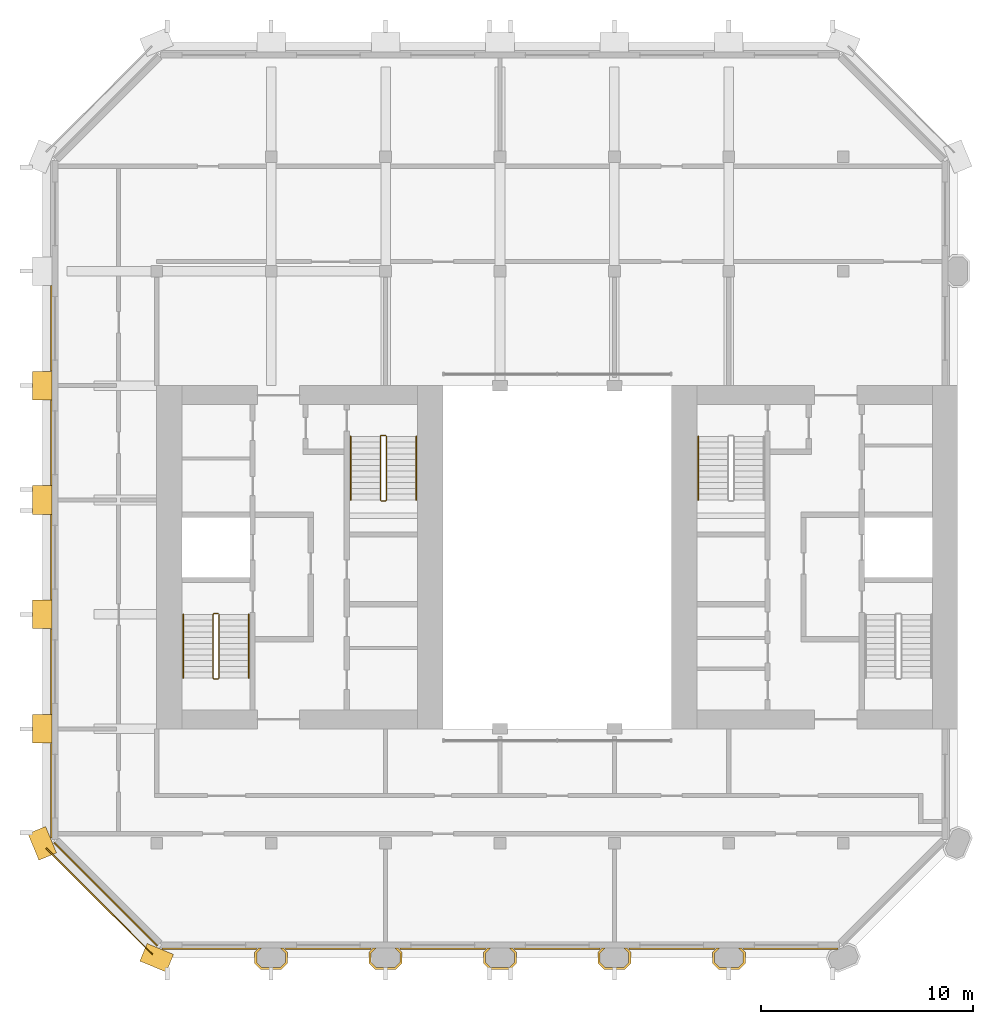
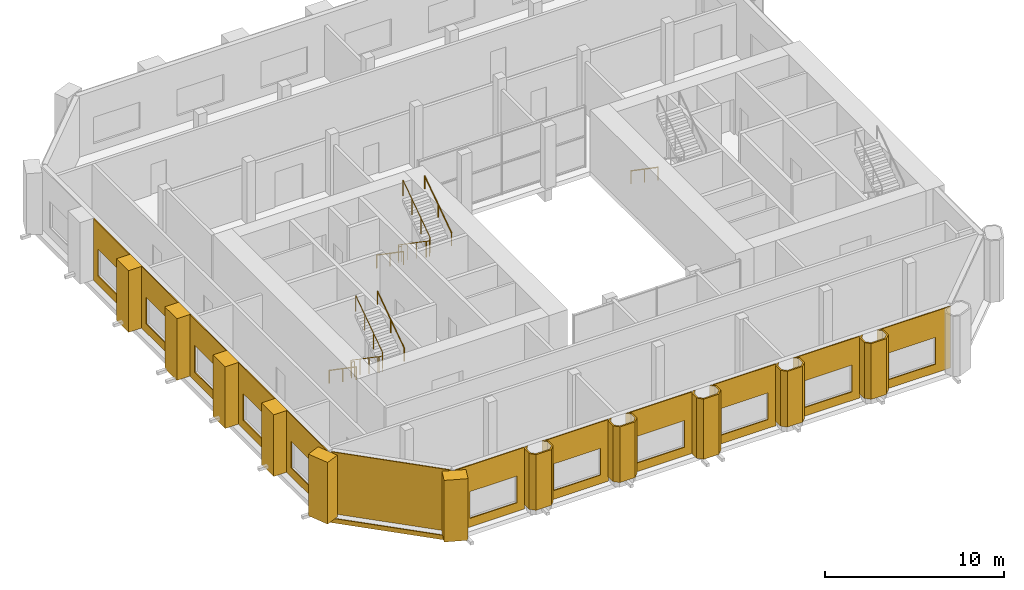
# One storey, part 10 of 11: 24 coverings, 7 railings.
"""IFC4 building model written with IfcOpenShell, lengths in metres."""

from ifc_helpers import new_model, si_unit, direction, frame, frame_2d, origin, origin_2d, place, context, subcontext, project, spatial, polyline, rectangle, circle, outline, extrude, material, layer, layer_set, type_object, element, save


model = new_model("IFC4")

# Units and contexts
model_context = context("Model", 3, precision=1e-05, world=origin(), true_north=direction((0.0, 1.0)))
body_context = subcontext(model_context, "Body", "Model", "MODEL_VIEW")
ifc_project = project(units=[si_unit("LENGTHUNIT", "METRE"), si_unit("AREAUNIT", "SQUARE_METRE"), si_unit("VOLUMEUNIT", "CUBIC_METRE"), si_unit("PLANEANGLEUNIT", "RADIAN"), si_unit("MASSUNIT", "GRAM", prefix="KILO")], contexts=[model_context])

# Site, building, storey
site_placement = place(None, origin())
site = spatial("IfcSite", under=ifc_project, at=site_placement, CompositionType="ELEMENT")
building_placement = place(site_placement, origin())
building = spatial("IfcBuilding", under=site, at=building_placement, Name="Tabaq Tower and Sports Hall", CompositionType="ELEMENT")
storey_placement = place(building_placement, frame((0.0, 0.0, 312.699951171875)))
storey = spatial("IfcBuildingStorey", under=building, at=storey_placement, Name="L78", CompositionType="ELEMENT", Elevation=312.699951171875)

# Coverings
ifc_material_1 = material(Name="Precast concrete C60/75", Category="concrete")
ifc_layer_1 = layer(ifc_material_1, 0.10009765625)
ifc_layer_set_1 = layer_set([ifc_layer_1], Name="Column cladding 100")
covering_type_1 = type_object("IfcCoveringType", Name="Column cladding 100", PredefinedType="CLADDING", material=ifc_layer_set_1)
covering_1_placement = place(storey_placement, frame((0.0, 0.0, 0.400146484375)))
element("IfcCovering", 1, at=covering_1_placement, inside=storey, type_object=covering_type_1, Name="Column cladding L78 PC-3B-CR", PredefinedType="CLADDING", context=body_context, shape_type="SweptSolid", body=[
    extrude(outline(polyline([(10.025390625, 5.666259765625), (10.208740234375, 5.849609375), (10.349365234375, 5.849609375), (10.124755859375, 5.625244140625), (10.124755859375, 5.1748046875), (10.349853515625, 4.94970703125), (11.250244140625, 4.94970703125), (11.475341796875, 5.1748046875), (11.475341796875, 5.625244140625), (11.250732421875, 5.849609375), (11.391357421875, 5.849609375), (11.57470703125, 5.666259765625), (11.57470703125, 5.1337890625), (11.291259765625, 4.850341796875), (10.30859375, 4.850341796875), (10.025390625, 5.1337890625), (10.025390625, 5.666259765625)])), origin(), (0.0, 0.0, 1.0), 3.7998046875),
])
covering_2_placement = place(storey_placement, frame((0.0, 0.0, 0.400146484375)))
element("IfcCovering", 2, at=covering_2_placement, inside=storey, type_object=covering_type_1, Name="Column cladding L78 PC-4B-CR", PredefinedType="CLADDING", context=body_context, shape_type="SweptSolid", body=[
    extrude(outline(polyline([(15.42529296875, 5.666259765625), (15.608642578125, 5.849609375), (15.749267578125, 5.849609375), (15.524658203125, 5.625244140625), (15.524658203125, 5.1748046875), (15.749755859375, 4.94970703125), (16.650146484375, 4.94970703125), (16.875244140625, 5.1748046875), (16.875244140625, 5.625244140625), (16.650634765625, 5.849609375), (16.791259765625, 5.849609375), (16.974609375, 5.666259765625), (16.974609375, 5.1337890625), (16.69140625, 4.850341796875), (15.708740234375, 4.850341796875), (15.42529296875, 5.1337890625), (15.42529296875, 5.666259765625)])), origin(), (0.0, 0.0, 1.0), 3.7998046875),
])
covering_3_placement = place(storey_placement, frame((0.0, 0.0, 0.10009765625)))
element("IfcCovering", 3, at=covering_3_placement, inside=storey, type_object=covering_type_1, Name="Column cladding L78 PC-5B-CR", PredefinedType="CLADDING", context=body_context, shape_type="SweptSolid", body=[
    extrude(outline(polyline([(20.8251953125, 5.666259765625), (21.0087890625, 5.849609375), (21.149169921875, 5.849609375), (20.9248046875, 5.625244140625), (20.9248046875, 5.1748046875), (21.14990234375, 4.94970703125), (22.050048828125, 4.94970703125), (22.275390625, 5.1748046875), (22.275390625, 5.625244140625), (22.05078125, 5.849609375), (22.19140625, 5.849609375), (22.374755859375, 5.666259765625), (22.374755859375, 5.1337890625), (22.09130859375, 4.850341796875), (21.108642578125, 4.850341796875), (20.8251953125, 5.1337890625), (20.8251953125, 5.666259765625)])), origin(), (0.0, 0.0, 1.0), 4.099853515625),
])
covering_4_placement = place(storey_placement, frame((0.0, 0.0, 0.400146484375)))
element("IfcCovering", 4, at=covering_4_placement, inside=storey, type_object=covering_type_1, Name="Column cladding L78 PC-6B-CR", PredefinedType="CLADDING", context=body_context, shape_type="SweptSolid", body=[
    extrude(outline(polyline([(26.225341796875, 5.666259765625), (26.40869140625, 5.849609375), (26.54931640625, 5.849609375), (26.32470703125, 5.625244140625), (26.32470703125, 5.1748046875), (26.5498046875, 4.94970703125), (27.4501953125, 4.94970703125), (27.67529296875, 5.1748046875), (27.67529296875, 5.625244140625), (27.45068359375, 5.849609375), (27.59130859375, 5.849609375), (27.774658203125, 5.666259765625), (27.774658203125, 5.1337890625), (27.4912109375, 4.850341796875), (26.5087890625, 4.850341796875), (26.225341796875, 5.1337890625), (26.225341796875, 5.666259765625)])), origin(), (0.0, 0.0, 1.0), 3.7998046875),
])
covering_5_placement = place(storey_placement, frame((0.0, 0.0, 0.400146484375)))
element("IfcCovering", 5, at=covering_5_placement, inside=storey, type_object=covering_type_1, Name="Column cladding L78 PC-7B-CR", PredefinedType="CLADDING", context=body_context, shape_type="SweptSolid", body=[
    extrude(outline(polyline([(31.625244140625, 5.666259765625), (31.80859375, 5.849609375), (31.94921875, 5.849609375), (31.724609375, 5.625244140625), (31.724609375, 5.1748046875), (31.949951171875, 4.94970703125), (32.85009765625, 4.94970703125), (33.0751953125, 5.1748046875), (33.0751953125, 5.625244140625), (32.850830078125, 5.849609375), (32.9912109375, 5.849609375), (33.1748046875, 5.666259765625), (33.1748046875, 5.1337890625), (32.891357421875, 4.850341796875), (31.90869140625, 4.850341796875), (31.625244140625, 5.1337890625), (31.625244140625, 5.666259765625)])), origin(), (0.0, 0.0, 1.0), 3.7998046875),
])
ifc_material_2 = material(Name="Precast concrete C60/75", Category="concrete")
ifc_layer_2 = layer(ifc_material_2, 0.06005859375)
ifc_layer_set_2 = layer_set([ifc_layer_2], Name="Edge beam cladding 60")
covering_type_2 = type_object("IfcCoveringType", Name="Edge beam cladding 60", PredefinedType="CLADDING", material=ifc_layer_set_2)
covering_6_placement = place(storey_placement, frame((0.18994140625, 10.567626953125, -0.300048828125), z_axis=(0.0, 0.0, 1.0), x_axis=(0.707106781187, -0.707106781187, 0.0)))
element("IfcCovering", 6, at=covering_6_placement, inside=storey, type_object=covering_type_2, Name="Edge beam cladding L78 5", PredefinedType="CLADDING", context=body_context, shape_type="SweptSolid", body=[
    extrude(rectangle(XDim=7.087890625, YDim=0.06005859375, at=frame_2d((3.5439453125, 0.0))), origin(), (0.0, 0.0, 1.0), 0.300048828125),
])
ifc_material_3 = material(Name="White precast concrete C60/75", Category="concrete")
covering_type_3 = type_object("IfcCoveringType", Name="Pier cladding hung 1350x900", PredefinedType="CLADDING", material=ifc_material_3)
for number, where, z_axis, x_axis, name in (
    (7, (-0.25830078125, 11.423583984375, 0.0), (0.0, 0.0, 1.0), (0.382649923473, -0.923893411637, 0.0), "Hung pier cladding 0/2"),
    (8, (0.0, 16.875, 0.0), (0.0, 0.0, 1.0), (0.0, -1.0, 0.0), "Hung pier cladding 0/3"),
):
    element("IfcCovering", number, at=place(storey_placement, frame(where, z_axis=z_axis, x_axis=x_axis)), inside=storey, type_object=covering_type_3, Name=name, PredefinedType="CLADDING", context=body_context, shape_type="SweptSolid", body=[
        extrude(rectangle(XDim=1.35009765625, YDim=0.89990234375, at=frame_2d((0.675048828125, 0.0))), origin(), (0.0, 0.0, 1.0), 4.199951171875),
    ])
covering_7_placement = place(storey_placement, frame((0.0, 22.27490234375, 0.0), z_axis=(0.0, 0.0, 1.0), x_axis=(0.0, -1.0, 0.0)))
element("IfcCovering", 9, at=covering_7_placement, inside=storey, type_object=covering_type_3, Name="Hung pier cladding 0/4", PredefinedType="CLADDING", context=body_context, shape_type="SweptSolid", body=[
    extrude(rectangle(XDim=1.349853515625, YDim=0.89990234375, at=frame_2d((0.6748046875, 0.0))), origin(), (0.0, 0.0, 1.0), 4.199951171875),
])
covering_8_placement = place(storey_placement, frame((0.0, 27.675048828125, 0.0), z_axis=(0.0, 0.0, 1.0), x_axis=(0.0, -1.0, 0.0)))
element("IfcCovering", 10, at=covering_8_placement, inside=storey, type_object=covering_type_3, Name="Hung pier cladding 0/5", PredefinedType="CLADDING", context=body_context, shape_type="SweptSolid", body=[
    extrude(rectangle(XDim=1.35009765625, YDim=0.89990234375, at=frame_2d((0.675048828125, 0.0))), origin(), (0.0, 0.0, 1.0), 4.199951171875),
])
covering_9_placement = place(storey_placement, frame((0.0, 33.074951171875, 0.0), z_axis=(0.0, 0.0, 1.0), x_axis=(0.0, -1.0, 0.0)))
element("IfcCovering", 11, at=covering_9_placement, inside=storey, type_object=covering_type_3, Name="Hung pier cladding 0/6", PredefinedType="CLADDING", context=body_context, shape_type="SweptSolid", body=[
    extrude(rectangle(XDim=1.349853515625, YDim=0.89990234375, at=frame_2d((0.6748046875, 0.0))), origin(), (0.0, 0.0, 1.0), 4.199951171875),
])
covering_10_placement = place(storey_placement, frame((4.7763671875, 5.658203125, 0.0), z_axis=(0.0, 0.0, 1.0), x_axis=(0.923893411637, -0.382649923473, 0.0)))
element("IfcCovering", 12, at=covering_10_placement, inside=storey, type_object=covering_type_3, Name="Hung pier cladding 1/1", PredefinedType="CLADDING", context=body_context, shape_type="SweptSolid", body=[
    extrude(rectangle(XDim=1.35009765625, YDim=0.89990234375, at=frame_2d((0.675048828125, 0.0))), origin(), (0.0, 0.0, 1.0), 4.199951171875),
])

# Railings
ifc_material_4 = material(Name="Stainless steel", Category="steel")
railing_type_1 = type_object("IfcRailingType", Name="Stair guard", PredefinedType="GUARDRAIL", material=ifc_material_4)
railing_1_placement = place(storey_placement, frame((8.300048828125, 21.64990234375, 0.0)))
element("IfcRailing", 13, at=railing_1_placement, inside=storey, type_object=railing_type_1, Name="L78 ST1 stair guard 1", PredefinedType="GUARDRAIL", context=body_context, shape_type="SweptSolid", body=[
    extrude(circle(Radius=0.02392578125, at=origin_2d()), frame((0.0, 0.0, 1.076171875), z_axis=(-1.0, 0.0, 0.0), x_axis=(0.0, -1.0, 0.0)), (0.0, 0.0, 1.0), 0.199951171875),
    extrude(circle(Radius=0.02392578125, at=origin_2d()), frame((-0.199951171875, 0.0, 1.076171875), z_axis=(-0.249802250048, -0.248583702486, 0.935844527007), x_axis=(0.705375805398, -0.708833529934, 0.0)), (0.0, 0.0, 1.0), 0.200439453125),
    extrude(circle(Radius=0.02392578125, at=origin_2d()), frame((-0.25, -0.0498046875, 1.263671875), z_axis=(0.0, -0.824041924199, 0.566528822887), x_axis=(1.0, 0.0, 0.0)), (0.0, 0.0, 1.0), 3.640625),
    extrude(circle(Radius=0.02392578125, at=origin_2d()), frame((-0.25, -3.0498046875, 3.326171875), z_axis=(0.707106781187, -0.707106781187, 0.0), x_axis=(0.707106781187, 0.707106781187, 0.0)), (0.0, 0.0, 1.0), 0.07080078125),
    extrude(circle(Radius=0.02392578125, at=origin_2d()), frame((-0.199951171875, -3.099853515625, 3.326171875), z_axis=(1.0, 0.0, 0.0), x_axis=(0.0, 1.0, 0.0)), (0.0, 0.0, 1.0), 0.199951171875),
    extrude(circle(Radius=0.02392578125, at=origin_2d()), frame((0.0, -3.099853515625, 3.326171875), z_axis=(0.249726431254, 0.249726431254, 0.935560483917), x_axis=(-0.707106781187, 0.707106781187, 0.0)), (0.0, 0.0, 1.0), 0.200439453125),
    extrude(circle(Radius=0.02392578125, at=origin_2d()), frame((0.050048828125, -3.0498046875, 3.513671875), z_axis=(0.0, 0.824041924199, 0.566528822887), x_axis=(-1.0, 0.0, 0.0)), (0.0, 0.0, 1.0), 3.640625),
    extrude(circle(Radius=0.02099609375, at=origin_2d()), origin(), (0.0, 0.0, 1.0), 1.052001953125),
    extrude(circle(Radius=0.02099609375, at=origin_2d()), frame((-0.199951171875, 0.0, 0.0)), (0.0, 0.0, 1.0), 1.052001953125),
    extrude(circle(Radius=0.02099609375, at=origin_2d()), frame((-0.25, -0.0498046875, 0.1875)), (0.0, 0.0, 1.0), 1.052001953125),
    extrude(circle(Radius=0.02099609375, at=origin_2d()), frame((-0.25, -1.0498046875, 0.875)), (0.0, 0.0, 1.0), 1.052001953125),
    extrude(circle(Radius=0.02099609375, at=origin_2d()), frame((-0.25, -2.0498046875, 1.5625)), (0.0, 0.0, 1.0), 1.052001953125),
    extrude(circle(Radius=0.02099609375, at=origin_2d()), frame((-0.25, -3.0498046875, 2.25)), (0.0, 0.0, 1.0), 1.052001953125),
    extrude(circle(Radius=0.02099609375, at=origin_2d()), frame((-0.199951171875, -3.099853515625, 2.25)), (0.0, 0.0, 1.0), 1.052001953125),
    extrude(circle(Radius=0.02099609375, at=origin_2d()), frame((0.0, -3.099853515625, 2.25)), (0.0, 0.0, 1.0), 1.052001953125),
    extrude(circle(Radius=0.02099609375, at=origin_2d()), frame((0.050048828125, -3.0498046875, 2.4375)), (0.0, 0.0, 1.0), 1.052001953125),
    extrude(circle(Radius=0.02099609375, at=origin_2d()), frame((0.050048828125, -2.0498046875, 3.125)), (0.0, 0.0, 1.0), 1.052001953125),
    extrude(circle(Radius=0.02099609375, at=origin_2d()), frame((0.050048828125, -1.0498046875, 3.8125)), (0.0, 0.0, 1.0), 1.052001953125),
    extrude(circle(Radius=0.02099609375, at=origin_2d()), frame((0.050048828125, -0.0498046875, 4.5)), (0.0, 0.0, 1.0), 1.052001953125),
])
railing_2_placement = place(storey_placement, frame((16.199951171875, 30.050048828125, 0.0)))
element("IfcRailing", 14, at=railing_2_placement, inside=storey, type_object=railing_type_1, Name="L78 ST2 stair guard 1", PredefinedType="GUARDRAIL", context=body_context, shape_type="SweptSolid", body=[
    extrude(circle(Radius=0.02392578125, at=origin_2d()), frame((0.0, 0.0, 1.076171875), z_axis=(-1.0, 0.0, 0.0), x_axis=(0.0, -1.0, 0.0)), (0.0, 0.0, 1.0), 0.199951171875),
    extrude(circle(Radius=0.02392578125, at=origin_2d()), frame((-0.199951171875, 0.0, 1.076171875), z_axis=(-0.249726431254, -0.249726431254, 0.935560483917), x_axis=(0.707106781187, -0.707106781187, 0.0)), (0.0, 0.0, 1.0), 0.200439453125),
    extrude(circle(Radius=0.02392578125, at=origin_2d()), frame((-0.25, -0.050048828125, 1.263671875), z_axis=(0.0, -0.824041924199, 0.566528822887), x_axis=(1.0, 0.0, 0.0)), (0.0, 0.0, 1.0), 3.640625),
    extrude(circle(Radius=0.02392578125, at=origin_2d()), frame((-0.25, -3.050048828125, 3.326171875), z_axis=(0.707106781187, -0.707106781187, 0.0), x_axis=(0.707106781187, 0.707106781187, 0.0)), (0.0, 0.0, 1.0), 0.07080078125),
    extrude(circle(Radius=0.02392578125, at=origin_2d()), frame((-0.199951171875, -3.10009765625, 3.326171875), z_axis=(1.0, 0.0, 0.0), x_axis=(0.0, 1.0, 0.0)), (0.0, 0.0, 1.0), 0.199951171875),
    extrude(circle(Radius=0.02392578125, at=origin_2d()), frame((0.0, -3.10009765625, 3.326171875), z_axis=(0.249726431254, 0.249726431254, 0.935560483917), x_axis=(-0.707106781187, 0.707106781187, 0.0)), (0.0, 0.0, 1.0), 0.200439453125),
    extrude(circle(Radius=0.02392578125, at=origin_2d()), frame((0.050048828125, -3.050048828125, 3.513671875), z_axis=(0.0, 0.824041924199, 0.566528822887), x_axis=(-1.0, 0.0, 0.0)), (0.0, 0.0, 1.0), 3.640625),
    extrude(circle(Radius=0.02099609375, at=origin_2d()), origin(), (0.0, 0.0, 1.0), 1.052001953125),
    extrude(circle(Radius=0.02099609375, at=origin_2d()), frame((-0.199951171875, 0.0, 0.0)), (0.0, 0.0, 1.0), 1.052001953125),
    extrude(circle(Radius=0.02099609375, at=origin_2d()), frame((-0.25, -0.050048828125, 0.1875)), (0.0, 0.0, 1.0), 1.052001953125),
    extrude(circle(Radius=0.02099609375, at=origin_2d()), frame((-0.25, -1.050048828125, 0.875)), (0.0, 0.0, 1.0), 1.052001953125),
    extrude(circle(Radius=0.02099609375, at=origin_2d()), frame((-0.25, -2.050048828125, 1.5625)), (0.0, 0.0, 1.0), 1.052001953125),
    extrude(circle(Radius=0.02099609375, at=origin_2d()), frame((-0.25, -3.050048828125, 2.25)), (0.0, 0.0, 1.0), 1.052001953125),
    extrude(circle(Radius=0.02099609375, at=origin_2d()), frame((-0.199951171875, -3.10009765625, 2.25)), (0.0, 0.0, 1.0), 1.052001953125),
    extrude(circle(Radius=0.02099609375, at=origin_2d()), frame((0.0, -3.10009765625, 2.25)), (0.0, 0.0, 1.0), 1.052001953125),
    extrude(circle(Radius=0.02099609375, at=origin_2d()), frame((0.050048828125, -3.050048828125, 2.4375)), (0.0, 0.0, 1.0), 1.052001953125),
    extrude(circle(Radius=0.02099609375, at=origin_2d()), frame((0.050048828125, -2.050048828125, 3.125)), (0.0, 0.0, 1.0), 1.052001953125),
    extrude(circle(Radius=0.02099609375, at=origin_2d()), frame((0.050048828125, -1.050048828125, 3.8125)), (0.0, 0.0, 1.0), 1.052001953125),
    extrude(circle(Radius=0.02099609375, at=origin_2d()), frame((0.050048828125, -0.050048828125, 4.5)), (0.0, 0.0, 1.0), 1.052001953125),
])
ifc_material_5 = material(Name="Stainless steel", Category="steel")
railing_type_2 = type_object("IfcRailingType", Name="Stair handrail", PredefinedType="HANDRAIL", material=ifc_material_5)
railing_3_placement = place(storey_placement, frame((6.64990234375, 21.60009765625, 0.1875)))
element("IfcRailing", 15, at=railing_3_placement, inside=storey, type_object=railing_type_2, Name="L78 ST1 stair handrail 1", PredefinedType="HANDRAIL", context=body_context, shape_type="SweptSolid", body=[
    extrude(circle(Radius=0.02392578125, at=origin_2d()), frame((0.0, 0.0, 0.8759765625), z_axis=(0.0, -0.824041924199, 0.566528822887), x_axis=(1.0, 0.0, 0.0)), (0.0, 0.0, 1.0), 3.640625),
    extrude(circle(Radius=0.02099609375, at=origin_2d()), origin(), (0.0, 0.0, 1.0), 0.851806640625),
    extrude(circle(Radius=0.02099609375, at=origin_2d()), frame((0.0, -1.5, 1.03125)), (0.0, 0.0, 1.0), 0.851806640625),
    extrude(circle(Radius=0.02099609375, at=origin_2d()), frame((0.0, -3.0, 2.0625)), (0.0, 0.0, 1.0), 0.851806640625),
])
railing_4_placement = place(storey_placement, frame((9.75, 18.60009765625, 2.4375)))
element("IfcRailing", 16, at=railing_4_placement, inside=storey, type_object=railing_type_2, Name="L78 ST1 stair handrail 2", PredefinedType="HANDRAIL", context=body_context, shape_type="SweptSolid", body=[
    extrude(circle(Radius=0.02392578125, at=origin_2d()), frame((0.0, 0.0, 0.8759765625), z_axis=(0.0, 0.824041924199, 0.566528822887), x_axis=(-1.0, 0.0, 0.0)), (0.0, 0.0, 1.0), 3.640625),
    extrude(circle(Radius=0.02099609375, at=origin_2d()), origin(), (0.0, 0.0, 1.0), 0.851806640625),
    extrude(circle(Radius=0.02099609375, at=origin_2d()), frame((0.0, 1.5, 1.03125)), (0.0, 0.0, 1.0), 0.851806640625),
    extrude(circle(Radius=0.02099609375, at=origin_2d()), frame((0.0, 3.0, 2.0625)), (0.0, 0.0, 1.0), 0.851806640625),
])
railing_5_placement = place(storey_placement, frame((14.550048828125, 30.0, 0.1875)))
element("IfcRailing", 17, at=railing_5_placement, inside=storey, type_object=railing_type_2, Name="L78 ST2 stair handrail 1", PredefinedType="HANDRAIL", context=body_context, shape_type="SweptSolid", body=[
    extrude(circle(Radius=0.02392578125, at=origin_2d()), frame((0.0, 0.0, 0.8759765625), z_axis=(0.0, -0.824041924199, 0.566528822887), x_axis=(1.0, 0.0, 0.0)), (0.0, 0.0, 1.0), 3.640625),
    extrude(circle(Radius=0.02099609375, at=origin_2d()), origin(), (0.0, 0.0, 1.0), 0.851806640625),
    extrude(circle(Radius=0.02099609375, at=origin_2d()), frame((0.0, -1.5, 1.03125)), (0.0, 0.0, 1.0), 0.851806640625),
    extrude(circle(Radius=0.02099609375, at=origin_2d()), frame((0.0, -3.0, 2.0625)), (0.0, 0.0, 1.0), 0.851806640625),
])
railing_6_placement = place(storey_placement, frame((17.64990234375, 27.0, 2.4375)))
element("IfcRailing", 18, at=railing_6_placement, inside=storey, type_object=railing_type_2, Name="L78 ST2 stair handrail 2", PredefinedType="HANDRAIL", context=body_context, shape_type="SweptSolid", body=[
    extrude(circle(Radius=0.02392578125, at=origin_2d()), frame((0.0, 0.0, 0.8759765625), z_axis=(0.0, 0.824041924199, 0.566528822887), x_axis=(-1.0, 0.0, 0.0)), (0.0, 0.0, 1.0), 3.640625),
    extrude(circle(Radius=0.02099609375, at=origin_2d()), origin(), (0.0, 0.0, 1.0), 0.851806640625),
    extrude(circle(Radius=0.02099609375, at=origin_2d()), frame((0.0, 1.5, 1.03125)), (0.0, 0.0, 1.0), 0.851806640625),
    extrude(circle(Radius=0.02099609375, at=origin_2d()), frame((0.0, 3.0, 2.0625)), (0.0, 0.0, 1.0), 0.851806640625),
])
railing_7_placement = place(storey_placement, frame((30.949951171875, 30.0, 0.1875)))
element("IfcRailing", 19, at=railing_7_placement, inside=storey, type_object=railing_type_2, Name="L78 ST4 stair handrail 1", PredefinedType="HANDRAIL", context=body_context, shape_type="SweptSolid", body=[
    extrude(circle(Radius=0.02392578125, at=origin_2d()), frame((0.0, 0.0, 0.8759765625), z_axis=(0.0, -0.824041924199, 0.566528822887), x_axis=(1.0, 0.0, 0.0)), (0.0, 0.0, 1.0), 3.640625),
    extrude(circle(Radius=0.02099609375, at=origin_2d()), origin(), (0.0, 0.0, 1.0), 0.851806640625),
    extrude(circle(Radius=0.02099609375, at=origin_2d()), frame((0.0, -1.5, 1.03125)), (0.0, 0.0, 1.0), 0.851806640625),
    extrude(circle(Radius=0.02099609375, at=origin_2d()), frame((0.0, -3.0, 2.0625)), (0.0, 0.0, 1.0), 0.851806640625),
])

# Coverings
ifc_material_6 = material(Name="Precast concrete C60/75", Category="concrete")
ifc_layer_3 = layer(ifc_material_6, 0.06005859375)
ifc_layer_set_3 = layer_set([ifc_layer_3], Name="White precast cladding panel 60 C60/75")
covering_type_4 = type_object("IfcCoveringType", Name="White precast cladding panel 60 C60/75", PredefinedType="CLADDING", material=ifc_layer_set_3)
covering_11_placement = place(storey_placement, frame((5.64306640625, 5.820068359375, 0.0), z_axis=(0.0, 0.0, 1.0), x_axis=(1.0, 0.0, 0.0)))
element("IfcCovering", 20, at=covering_11_placement, inside=storey, type_object=covering_type_4, Name="White precast cladding panel L78 wall00", PredefinedType="CLADDING", context=body_context, shape_type="SweptSolid", body=[
    extrude(outline(polyline([(0.0, 0.0), (4.471923828125, 0.0), (4.471923828125, 4.199951171875), (4.094970703125, 4.199951171875), (3.501708984375, 4.199951171875), (2.90869140625, 4.199951171875), (2.315673828125, 4.199951171875), (1.722412109375, 4.199951171875), (1.12939453125, 4.199951171875), (0.536376953125, 4.199951171875), (0.0, 4.199951171875), (0.0, 0.0)]), holes=[polyline([(0.94677734375, 0.590087890625), (0.94677734375, 2.41015625), (3.966796875, 2.41015625), (3.966796875, 0.590087890625), (0.94677734375, 0.590087890625)])]), frame((0.0, 0.030029296875, 0.0), z_axis=(0.0, -1.0, 0.0), x_axis=(1.0, 0.0, 0.0)), (0.0, 0.0, 1.0), 0.06005859375),
])
covering_12_placement = place(storey_placement, frame((11.485107421875, 5.820068359375, 0.0), z_axis=(0.0, 0.0, 1.0), x_axis=(1.0, 0.0, 0.0)))
element("IfcCovering", 21, at=covering_12_placement, inside=storey, type_object=covering_type_4, Name="White precast cladding panel L78 wall00 2", PredefinedType="CLADDING", context=body_context, shape_type="SweptSolid", body=[
    extrude(outline(polyline([(0.0, 0.0), (4.02978515625, 0.0), (4.030029296875, 4.199951171875), (3.5908203125, 4.199951171875), (2.997802734375, 4.199951171875), (2.40478515625, 4.199951171875), (1.811767578125, 4.199951171875), (1.218505859375, 4.199951171875), (0.62548828125, 4.199951171875), (0.032470703125, 4.199951171875), (0.0, 4.199951171875), (0.0, 0.0)]), holes=[polyline([(0.5048828125, 0.590087890625), (0.5048828125, 2.41015625), (3.52490234375, 2.41015625), (3.52490234375, 0.590087890625), (0.5048828125, 0.590087890625)])]), frame((0.0, 0.030029296875, 0.0), z_axis=(0.0, -1.0, 0.0), x_axis=(1.0, 0.0, 0.0)), (0.0, 0.0, 1.0), 0.06005859375),
])
covering_13_placement = place(storey_placement, frame((16.885009765625, 5.820068359375, 0.0), z_axis=(0.0, 0.0, 1.0), x_axis=(1.0, 0.0, 0.0)))
element("IfcCovering", 22, at=covering_13_placement, inside=storey, type_object=covering_type_4, Name="White precast cladding panel L78 wall00 3", PredefinedType="CLADDING", context=body_context, shape_type="SweptSolid", body=[
    extrude(outline(polyline([(0.0, 0.0), (4.030029296875, 0.0), (4.030029296875, 4.199951171875), (3.52880859375, 4.199951171875), (2.935791015625, 4.199951171875), (2.342529296875, 4.199951171875), (1.74951171875, 4.199951171875), (1.156494140625, 4.199951171875), (0.563232421875, 4.199951171875), (0.0, 4.199951171875), (0.0, 0.0)]), holes=[polyline([(0.5048828125, 0.590087890625), (0.5048828125, 2.41015625), (3.52490234375, 2.41015625), (3.52490234375, 0.590087890625), (0.5048828125, 0.590087890625)])]), frame((0.0, 0.030029296875, 0.0), z_axis=(0.0, -1.0, 0.0), x_axis=(1.0, 0.0, 0.0)), (0.0, 0.0, 1.0), 0.06005859375),
])
covering_14_placement = place(storey_placement, frame((22.284912109375, 5.820068359375, 0.0), z_axis=(0.0, 0.0, 1.0), x_axis=(1.0, 0.0, 0.0)))
element("IfcCovering", 23, at=covering_14_placement, inside=storey, type_object=covering_type_4, Name="White precast cladding panel L78 wall00 4", PredefinedType="CLADDING", context=body_context, shape_type="SweptSolid", body=[
    extrude(outline(polyline([(0.0, 0.0), (4.030029296875, 0.0), (4.030029296875, 4.199951171875), (3.466796875, 4.199951171875), (2.87353515625, 4.199951171875), (2.280517578125, 4.199951171875), (1.6875, 4.199951171875), (1.09423828125, 4.199951171875), (0.501220703125, 4.199951171875), (0.0, 4.199951171875), (0.0, 0.0)]), holes=[polyline([(0.5048828125, 0.590087890625), (0.5048828125, 2.41015625), (3.52490234375, 2.41015625), (3.52490234375, 0.590087890625), (0.5048828125, 0.590087890625)])]), frame((0.0, 0.030029296875, 0.0), z_axis=(0.0, -1.0, 0.0), x_axis=(1.0, 0.0, 0.0)), (0.0, 0.0, 1.0), 0.06005859375),
])
covering_15_placement = place(storey_placement, frame((27.68505859375, 5.820068359375, 0.0), z_axis=(0.0, 0.0, 1.0), x_axis=(1.0, 0.0, 0.0)))
element("IfcCovering", 24, at=covering_15_placement, inside=storey, type_object=covering_type_4, Name="White precast cladding panel L78 wall00 5", PredefinedType="CLADDING", context=body_context, shape_type="SweptSolid", body=[
    extrude(outline(polyline([(0.0, 0.0), (4.030029296875, 0.0), (4.030029296875, 4.199951171875), (3.99755859375, 4.199951171875), (3.404541015625, 4.199951171875), (2.8115234375, 4.199951171875), (2.21826171875, 4.199951171875), (1.625244140625, 4.199951171875), (1.0322265625, 4.199951171875), (0.43896484375, 4.199951171875), (0.0, 4.199951171875), (0.0, 0.0)]), holes=[polyline([(0.5048828125, 0.590087890625), (0.5048828125, 2.41015625), (3.52490234375, 2.41015625), (3.52490234375, 0.590087890625), (0.5048828125, 0.590087890625)])]), frame((0.0, 0.030029296875, 0.0), z_axis=(0.0, -1.0, 0.0), x_axis=(1.0, 0.0, 0.0)), (0.0, 0.0, 1.0), 0.06005859375),
])
covering_16_placement = place(storey_placement, frame((33.0849609375, 5.820068359375, 0.0), z_axis=(0.0, 0.0, 1.0), x_axis=(1.0, 0.0, 0.0)))
element("IfcCovering", 25, at=covering_16_placement, inside=storey, type_object=covering_type_4, Name="White precast cladding panel L78 wall00 6", PredefinedType="CLADDING", context=body_context, shape_type="SweptSolid", body=[
    extrude(outline(polyline([(0.0, 0.0), (4.471923828125, 0.0), (4.471923828125, 4.199951171875), (3.935546875, 4.199951171875), (3.342529296875, 4.199951171875), (2.749267578125, 4.199951171875), (2.15625, 4.199951171875), (1.563232421875, 4.199951171875), (0.969970703125, 4.199951171875), (0.376953125, 4.199951171875), (0.0, 4.199951171875), (0.0, 0.0)]), holes=[polyline([(0.5048828125, 0.590087890625), (0.5048828125, 2.41015625), (3.52490234375, 2.41015625), (3.52490234375, 0.590087890625), (0.5048828125, 0.590087890625)])]), frame((0.0, 0.030029296875, 0.0), z_axis=(0.0, -1.0, 0.0), x_axis=(1.0, 0.0, 0.0)), (0.0, 0.0, 1.0), 0.06005859375),
])
covering_17_placement = place(storey_placement, frame((0.419921875, 37.114990234375, 0.0), z_axis=(0.0, 0.0, 1.0), x_axis=(0.0, -1.0, 0.0)))
element("IfcCovering", 26, at=covering_17_placement, inside=storey, type_object=covering_type_4, Name="White precast cladding panel L78 wall06 2", PredefinedType="CLADDING", context=body_context, shape_type="SweptSolid", body=[
    extrude(outline(polyline([(0.0, 0.0), (4.030029296875, 0.0), (4.030029296875, 4.199951171875), (3.5908203125, 4.199951171875), (2.997802734375, 4.199951171875), (2.40478515625, 4.199951171875), (1.811767578125, 4.199951171875), (1.218505859375, 4.199951171875), (0.62548828125, 4.199951171875), (0.032470703125, 4.199951171875), (0.0, 4.199951171875), (0.0, 0.0)]), holes=[polyline([(0.5048828125, 0.590087890625), (0.5048828125, 2.41015625), (3.52490234375, 2.41015625), (3.52490234375, 0.590087890625), (0.5048828125, 0.590087890625)])]), frame((0.0, 0.030029296875, 0.0), z_axis=(0.0, -1.0, 0.0), x_axis=(1.0, 0.0, 0.0)), (0.0, 0.0, 1.0), 0.06005859375),
])
covering_18_placement = place(storey_placement, frame((0.419921875, 31.715087890625, 0.0), z_axis=(0.0, 0.0, 1.0), x_axis=(0.0, -1.0, 0.0)))
element("IfcCovering", 27, at=covering_18_placement, inside=storey, type_object=covering_type_4, Name="White precast cladding panel L78 wall06 3", PredefinedType="CLADDING", context=body_context, shape_type="SweptSolid", body=[
    extrude(outline(polyline([(0.0, 0.0), (4.030029296875, 0.0), (4.030029296875, 4.199951171875), (3.52880859375, 4.199951171875), (2.935791015625, 4.199951171875), (2.342529296875, 4.199951171875), (1.74951171875, 4.199951171875), (1.156494140625, 4.199951171875), (0.563232421875, 4.199951171875), (0.0, 4.199951171875), (0.0, 0.0)]), holes=[polyline([(0.5048828125, 0.590087890625), (0.5048828125, 2.41015625), (3.52490234375, 2.41015625), (3.52490234375, 0.590087890625), (0.5048828125, 0.590087890625)])]), frame((0.0, 0.030029296875, 0.0), z_axis=(0.0, -1.0, 0.0), x_axis=(1.0, 0.0, 0.0)), (0.0, 0.0, 1.0), 0.06005859375),
])
covering_19_placement = place(storey_placement, frame((0.419921875, 26.31494140625, 0.0), z_axis=(0.0, 0.0, 1.0), x_axis=(0.0, -1.0, 0.0)))
element("IfcCovering", 28, at=covering_19_placement, inside=storey, type_object=covering_type_4, Name="White precast cladding panel L78 wall06 4", PredefinedType="CLADDING", context=body_context, shape_type="SweptSolid", body=[
    extrude(outline(polyline([(0.0, 0.0), (4.030029296875, 0.0), (4.030029296875, 4.199951171875), (3.466796875, 4.199951171875), (2.87353515625, 4.199951171875), (2.280517578125, 4.199951171875), (1.6875, 4.199951171875), (1.09423828125, 4.199951171875), (0.501220703125, 4.199951171875), (0.0, 4.199951171875), (0.0, 0.0)]), holes=[polyline([(0.5048828125, 0.590087890625), (0.5048828125, 2.41015625), (3.52490234375, 2.41015625), (3.52490234375, 0.590087890625), (0.5048828125, 0.590087890625)])]), frame((0.0, 0.030029296875, 0.0), z_axis=(0.0, -1.0, 0.0), x_axis=(1.0, 0.0, 0.0)), (0.0, 0.0, 1.0), 0.06005859375),
])
covering_20_placement = place(storey_placement, frame((0.419921875, 20.9150390625, 0.0), z_axis=(0.0, 0.0, 1.0), x_axis=(0.0, -1.0, 0.0)))
element("IfcCovering", 29, at=covering_20_placement, inside=storey, type_object=covering_type_4, Name="White precast cladding panel L78 wall06 5", PredefinedType="CLADDING", context=body_context, shape_type="SweptSolid", body=[
    extrude(outline(polyline([(0.0, 0.0), (4.030029296875, 0.0), (4.030029296875, 4.199951171875), (3.99755859375, 4.199951171875), (3.404541015625, 4.199951171875), (2.8115234375, 4.199951171875), (2.21826171875, 4.199951171875), (1.625244140625, 4.199951171875), (1.0322265625, 4.199951171875), (0.43896484375, 4.199951171875), (0.0, 4.199951171875), (0.0, 0.0)]), holes=[polyline([(0.5048828125, 0.590087890625), (0.5048828125, 2.41015625), (3.52490234375, 2.41015625), (3.52490234375, 0.590087890625), (0.5048828125, 0.590087890625)])]), frame((0.0, 0.030029296875, 0.0), z_axis=(0.0, -1.0, 0.0), x_axis=(1.0, 0.0, 0.0)), (0.0, 0.0, 1.0), 0.06005859375),
])
covering_21_placement = place(storey_placement, frame((0.419921875, 15.514892578125, 0.0), z_axis=(0.0, 0.0, 1.0), x_axis=(0.0, -1.0, 0.0)))
element("IfcCovering", 30, at=covering_21_placement, inside=storey, type_object=covering_type_4, Name="White precast cladding panel L78 wall06 6", PredefinedType="CLADDING", context=body_context, shape_type="SweptSolid", body=[
    extrude(outline(polyline([(0.0, 0.0), (4.4716796875, 0.0), (4.471923828125, 4.199951171875), (3.935546875, 4.199951171875), (3.342529296875, 4.199951171875), (2.749267578125, 4.199951171875), (2.15625, 4.199951171875), (1.563232421875, 4.199951171875), (0.969970703125, 4.199951171875), (0.376953125, 4.199951171875), (0.0, 4.199951171875), (0.0, 0.0)]), holes=[polyline([(0.5048828125, 0.590087890625), (0.5048828125, 2.41015625), (3.52490234375, 2.41015625), (3.52490234375, 0.590087890625), (0.5048828125, 0.590087890625)])]), frame((0.0, 0.030029296875, 0.0), z_axis=(0.0, -1.0, 0.0), x_axis=(1.0, 0.0, 0.0)), (0.0, 0.0, 1.0), 0.06005859375),
])
covering_22_placement = place(storey_placement, frame((0.57177734375, 10.822265625, 0.0), z_axis=(0.0, 0.0, 1.0), x_axis=(0.707106781187, -0.707106781187, 0.0)))
element("IfcCovering", 31, at=covering_22_placement, inside=storey, type_object=covering_type_4, Name="White precast cladding panel L78 wall07", PredefinedType="CLADDING", context=body_context, shape_type="SweptSolid", body=[
    extrude(outline(polyline([(0.0, 0.0), (6.85986328125, 0.0), (6.859619140625, 4.199951171875), (6.2880859375, 4.199951171875), (5.71630859375, 4.199951171875), (5.144775390625, 4.199951171875), (4.5732421875, 4.199951171875), (4.00146484375, 4.199951171875), (3.429931640625, 4.199951171875), (2.858154296875, 4.199951171875), (2.28662109375, 4.199951171875), (1.71484375, 4.199951171875), (1.143310546875, 4.199951171875), (0.571533203125, 4.199951171875), (0.0, 4.199951171875), (0.0, 0.0)])), frame((0.0, 0.030029296875, 0.0), z_axis=(0.0, -1.0, 0.0), x_axis=(1.0, 0.0, 0.0)), (0.0, 0.0, 1.0), 0.06005859375),
])

save(model, "model.ifc")
